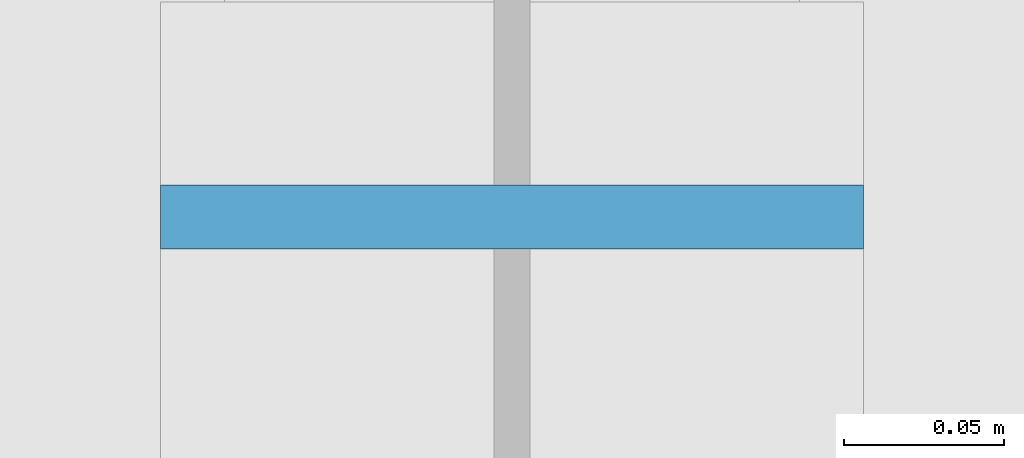
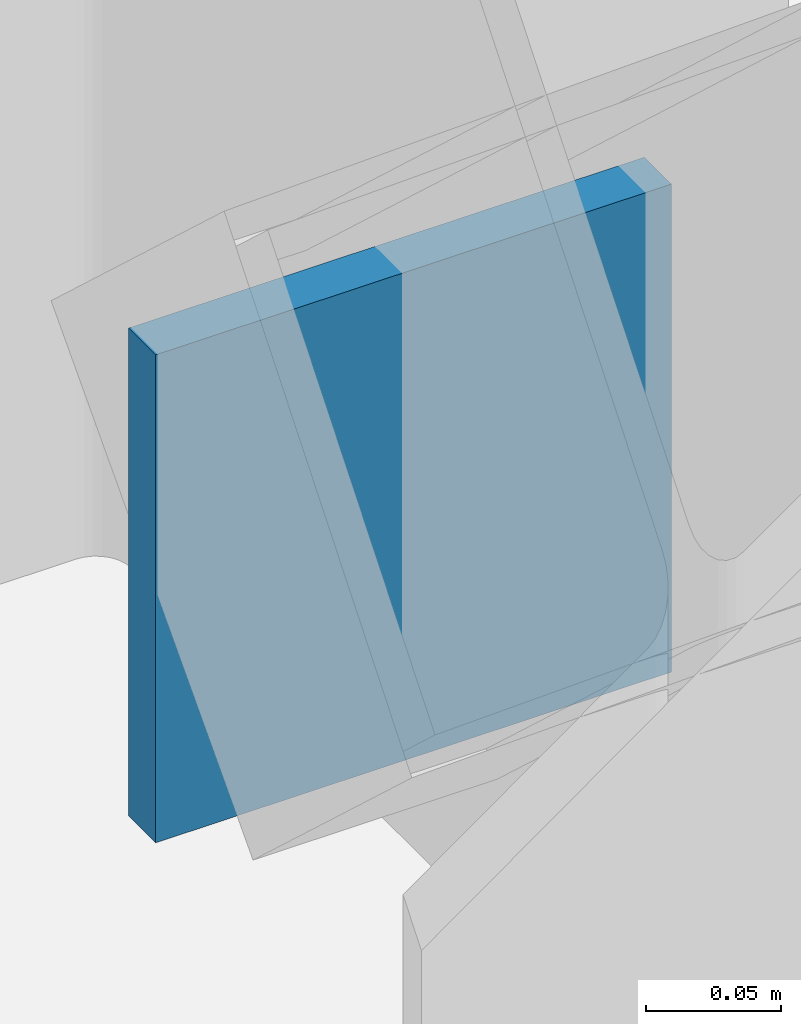
# One storey, part 83 of 102: 1 plate.
"""IFC4 building model written with IfcOpenShell, lengths in metres."""

from ifc_helpers import new_model, si_unit, derived_unit, direction, frame, origin, origin_2d, place, context, subcontext, project, spatial, rectangle, extrude, material, layer, layer_set, type_object, element, save


model = new_model("IFC4")

# Units and contexts
model_context = context("Model", 3, precision=1e-05, world=origin(), true_north=direction((0.0, 1.0)))
body_context = subcontext(model_context, "Body", "Model", "MODEL_VIEW")
ifc_project = project(units=[si_unit("LENGTHUNIT", "METRE"), si_unit("AREAUNIT", "SQUARE_METRE"), si_unit("VOLUMEUNIT", "CUBIC_METRE"), si_unit("PLANEANGLEUNIT", "RADIAN"), si_unit("MASSUNIT", "GRAM", prefix="KILO"), derived_unit("THERMALTRANSMITTANCEUNIT", [(si_unit("POWERUNIT", "WATT"), 1), (si_unit("LENGTHUNIT", "METRE"), -2), (si_unit("THERMODYNAMICTEMPERATUREUNIT", "KELVIN"), -1)])], contexts=[model_context])

# Site, building, storey
site_placement = place(None, origin())
site = spatial("IfcSite", under=ifc_project, at=site_placement, CompositionType="ELEMENT")
building_placement = place(site_placement, origin())
building = spatial("IfcBuilding", under=site, at=building_placement, Name="Nallur Shell Playhouse", CompositionType="ELEMENT")
storey_placement = place(building_placement, frame((0.0, 0.0, 15.0)))
storey = spatial("IfcBuildingStorey", under=building, at=storey_placement, Name="L04", CompositionType="ELEMENT", Elevation=15.0)

# Plate
ifc_material = material(Name="Steel E350", Category="steel")
ifc_layer = layer(ifc_material, 0.02001953125)
ifc_layer_set = layer_set([ifc_layer], Name="Steel E350")
plate_type = type_object("IfcPlateType", Name="PT-ENDCAP-20", PredefinedType="SHEET", material=ifc_layer_set)
plate_placement = place(storey_placement, frame((64.0, 65.00732421875, 0.033203125), z_axis=(0.0, 0.0, 1.0), x_axis=(1.0, 0.0, 0.0)))
element("IfcPlate", 1, at=plate_placement, inside=storey, type_object=plate_type, Name="Hollow end cap EC-BR-FT-L04-026-0", PredefinedType="SHEET", context=body_context, shape_type="SweptSolid", body=[
    extrude(rectangle(XDim=0.219970703125, YDim=0.02001953125, at=origin_2d()), origin(), (0.0, 0.0, 1.0), 0.219970703125),
])

save(model, "model.ifc")
